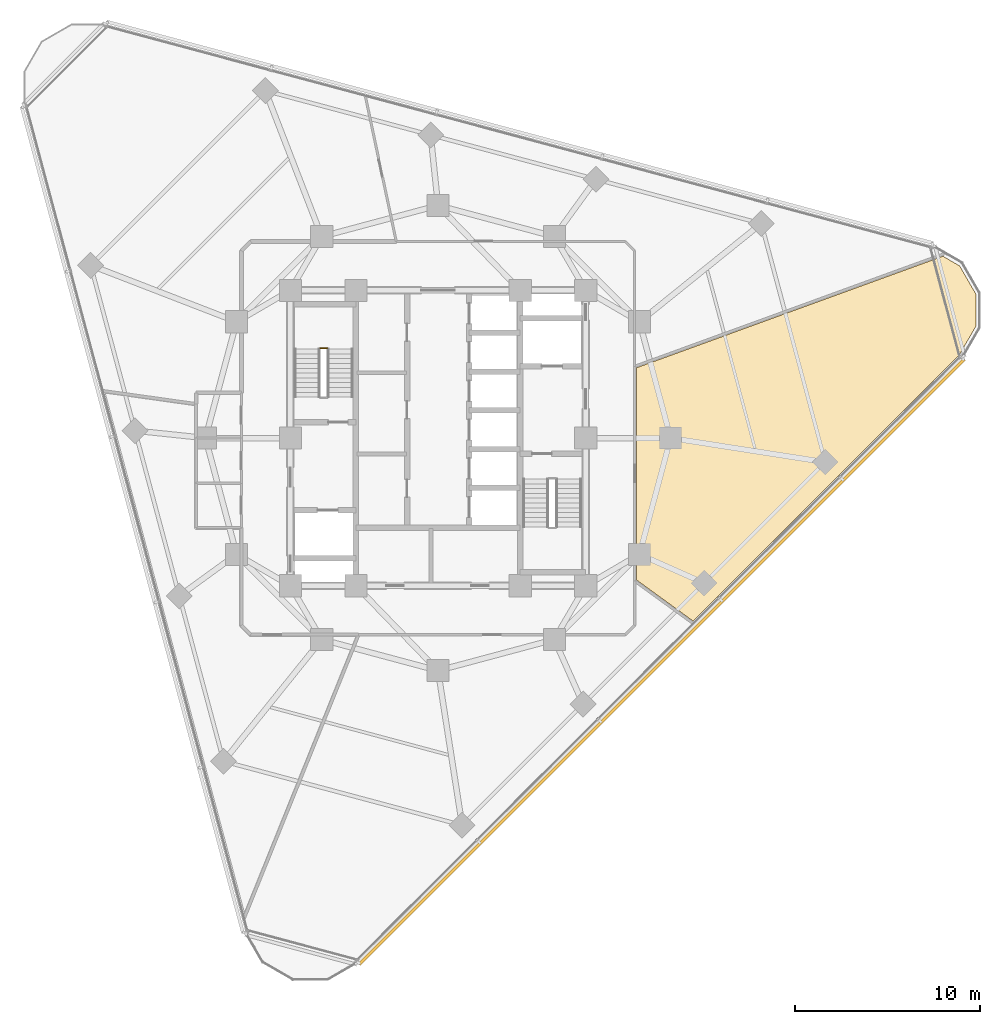
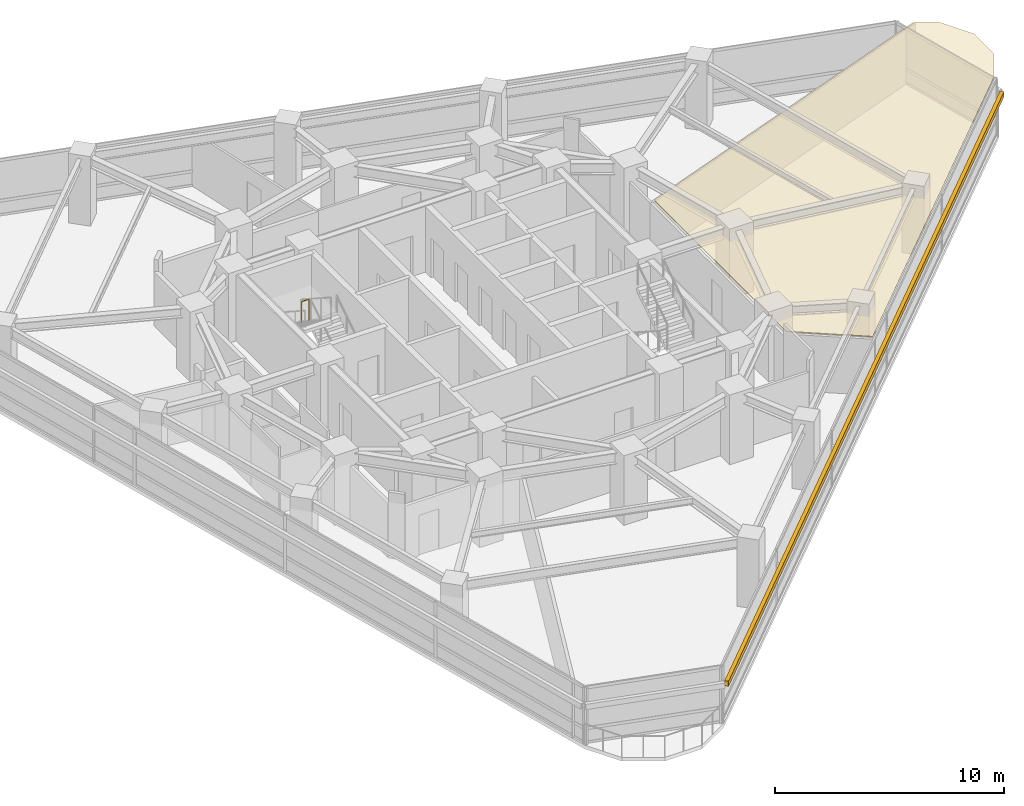
# One storey, part 12 of 13: 1 covering, 1 railing, 1 shading device.
"""IFC4 building model written with IfcOpenShell, lengths in metres."""

from ifc_helpers import new_model, si_unit, direction, frame, origin, origin_2d, place, context, subcontext, project, spatial, polyline, rectangle, circle, outline, extrude, material, layer, layer_set, type_object, element, save


model = new_model("IFC4")

# Units and contexts
model_context = context("Model", 3, precision=1e-05, world=origin(), true_north=direction((0.0, 1.0)))
body_context = subcontext(model_context, "Body", "Model", "MODEL_VIEW")
ifc_project = project(units=[si_unit("LENGTHUNIT", "METRE"), si_unit("AREAUNIT", "SQUARE_METRE"), si_unit("VOLUMEUNIT", "CUBIC_METRE"), si_unit("PLANEANGLEUNIT", "RADIAN"), si_unit("MASSUNIT", "GRAM", prefix="KILO")], contexts=[model_context])

# Site, building, storey
site_placement = place(None, origin())
site = spatial("IfcSite", under=ifc_project, at=site_placement, CompositionType="ELEMENT")
building_placement = place(site_placement, origin())
building = spatial("IfcBuilding", under=site, at=building_placement, Name="Terralouvre Media Tower", CompositionType="ELEMENT")
storey_placement = place(building_placement, frame((0.0, 0.0, 195.300048828125)))
storey = spatial("IfcBuildingStorey", under=building, at=storey_placement, Name="L50", CompositionType="ELEMENT", Elevation=195.300048828125)

# Covering
ifc_material_1 = material(Name="Perforated aluminium acoustic ceiling baffle", Category="aluminium")
ifc_layer_1 = layer(ifc_material_1, 0.0400390625, Name="Perforated Acoustic Metal Tile Ceiling CL-AC1")
ifc_layer_set_1 = layer_set([ifc_layer_1], Name="Perforated aluminium acoustic ceiling baffle")
covering_type = type_object("IfcCoveringType", Name="Perforated Acoustic Metal Tile Ceiling CL-AC1", PredefinedType="CEILING", material=ifc_layer_set_1)
covering_placement = place(storey_placement, frame((0.0, 0.0, 2.97998046875), z_axis=(0.0, 0.0, 1.0), x_axis=(0.707106781187, 0.707106781187, 0.0)))
element("IfcCovering", 1, at=covering_placement, inside=storey, type_object=covering_type, Name="L50 Foreign Press Reading Study 3 Acoustic Ceiling", PredefinedType="CEILING", context=body_context, shape_type="SweptSolid", body=[
    extrude(outline(polyline([(2.165771484375, -13.036865234375), (2.759765625, -16.782958984375), (23.15087890625, -16.78369140625), (24.87646484375, -16.32080078125), (26.117919921875, -15.07958984375), (26.572021484375, -13.38330078125), (26.302490234375, -12.375244140625), (10.292724609375, -4.91015625), (2.165771484375, -13.036865234375)])), origin(), (0.0, 0.0, 1.0), 0.0400390625),
])

# Railing
ifc_material_2 = material(Name="Stainless steel 316 handrail and balustrade", Category="steel")
ifc_layer_2 = layer(ifc_material_2, 0.050048828125, Name="Stairwell Safety Guardrail GR-INT1")
ifc_layer_set_2 = layer_set([ifc_layer_2], Name="Stainless steel 316 handrail and balustrade")
railing_type = type_object("IfcRailingType", Name="Stairwell Safety Guardrail GR-INT1", PredefinedType="GUARDRAIL", material=ifc_layer_set_2)
railing_placement = place(storey_placement, frame((-6.0, 4.8701171875, 1.849853515625)))
element("IfcRailing", 2, at=railing_placement, inside=storey, type_object=railing_type, Name="L50 ST-01 stair guard 2", PredefinedType="GUARDRAIL", context=body_context, shape_type="SweptSolid", body=[
    extrude(circle(Radius=0.02392578125, at=origin_2d()), frame((0.0, 0.0, 1.1259765625), z_axis=(-1.0, 0.0, 0.0), x_axis=(0.0, -1.0, 0.0)), (0.0, 0.0, 1.0), 0.3798828125),
    extrude(circle(Radius=0.02099609375, at=origin_2d()), origin(), (0.0, 0.0, 1.0), 1.101806640625),
    extrude(circle(Radius=0.02099609375, at=origin_2d()), frame((-0.3798828125, 0.0, 0.0)), (0.0, 0.0, 1.0), 1.101806640625),
])

# Shading device
ifc_material_3 = material(Name="Extruded terracotta baguette sunshade louvres", Category="masonry")
shading_device_type = type_object("IfcShadingDeviceType", Name="Terracotta Baguette Sunshade Louvre Screen TB-LV1", PredefinedType="USERDEFINED", material=ifc_material_3)
shading_device_placement = place(storey_placement, frame((12.121826171875, -12.121826171875, 2.02392578125), z_axis=(0.0, 0.0, 1.0), x_axis=(0.707106781187, 0.707106781187, 0.0)))
element("IfcShadingDevice", 3, at=shading_device_placement, inside=storey, type_object=shading_device_type, Name="CW-L50-F0 Terracotta Baguette Sunshade Louvre", ObjectType="BAGUETTE", PredefinedType="USERDEFINED", context=body_context, shape_type="SweptSolid", body=[
    extrude(rectangle(XDim=46.360107421875, YDim=0.179931640625, at=origin_2d()), origin(), (0.0, 0.0, 1.0), 0.280029296875),
])

save(model, "model.ifc")
